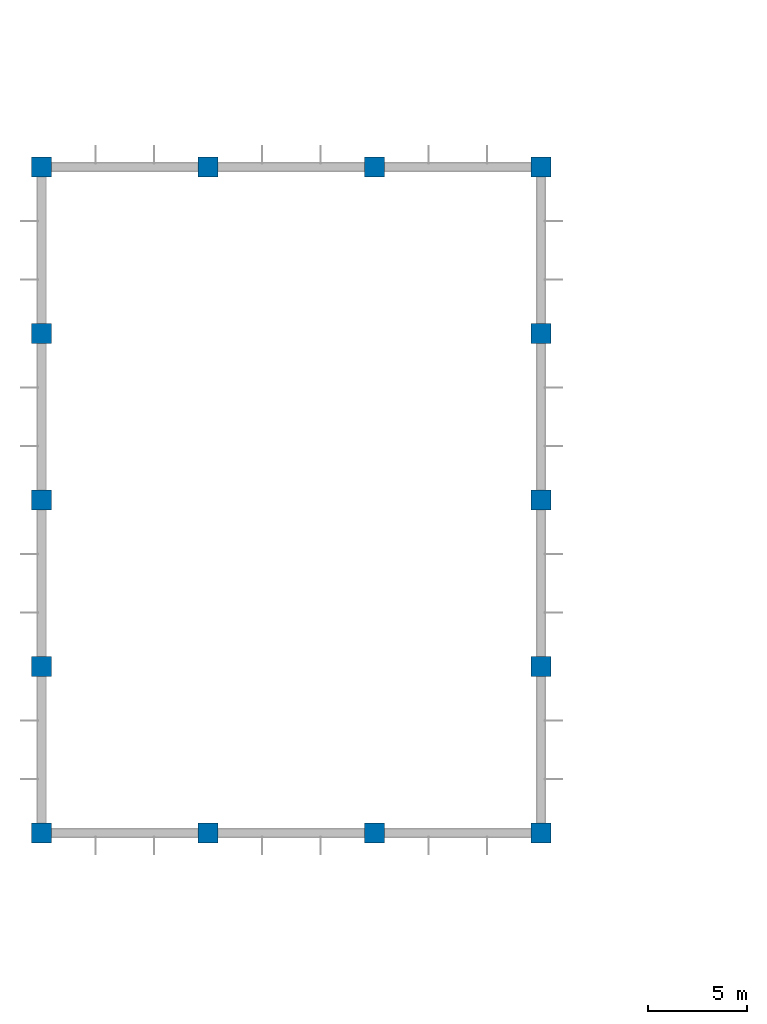
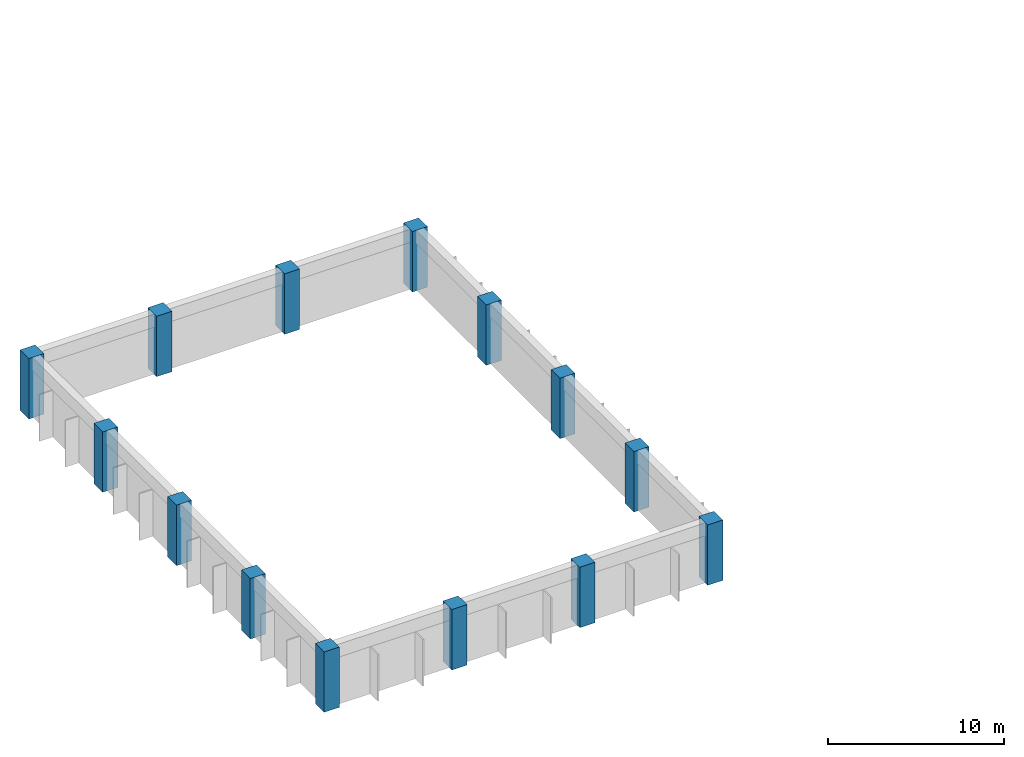
# One storey, part 1 of 19: 14 columns.
"""IFC4 building model written with IfcOpenShell, lengths in metres."""

from ifc_helpers import new_model, si_unit, direction, frame, origin, origin_2d, place, context, subcontext, project, spatial, rectangle, extrude, material, material_profile, profile_set, type_object, element, save


model = new_model("IFC4")

# Units and contexts
model_context = context("Model", 3, precision=1e-05, world=origin(), true_north=direction((0.0, 1.0)))
body_context = subcontext(model_context, "Body", "Model", "MODEL_VIEW")
ifc_project = project(units=[si_unit("LENGTHUNIT", "METRE"), si_unit("AREAUNIT", "SQUARE_METRE"), si_unit("VOLUMEUNIT", "CUBIC_METRE"), si_unit("PLANEANGLEUNIT", "RADIAN"), si_unit("MASSUNIT", "GRAM", prefix="KILO")], contexts=[model_context])

# Site, building, storey
site_placement = place(None, origin())
site = spatial("IfcSite", under=ifc_project, at=site_placement, CompositionType="ELEMENT")
building_placement = place(site_placement, origin())
building = spatial("IfcBuilding", under=site, at=building_placement, Name="Xuanlan Plaza Opera House", CompositionType="ELEMENT")
storey_placement = place(building_placement, frame((0.0, 0.0, 36.300048828125)))
storey = spatial("IfcBuildingStorey", under=building, at=storey_placement, Name="L08", CompositionType="ELEMENT", Elevation=36.300048828125)

# Columns
ifc_material = material(Name="Concrete C50", Category="concrete")
ifc_material_profile = material_profile(ifc_material, rectangle(XDim=1.0, YDim=1.0, at=origin_2d()), Name="RC-COL 1000x1000")
ifc_profile_set = profile_set([ifc_material_profile], Name="Concrete C50")
column_type = type_object("IfcColumnType", Name="STR-COL-C-04", PredefinedType="COLUMN", material=ifc_profile_set)
for number, where, z_axis, x_axis, name in (
    (1, (42.0, 42.0, 0.0), (0.0, 0.0, 1.0), (1.0, 0.0, 0.0), "Fly Tower Column L08 6-F"),
    (2, (42.0, 50.39990234375, 0.0), (0.0, 0.0, 1.0), (1.0, 0.0, 0.0), "Fly Tower Column L08 6-G"),
    (3, (42.0, 58.800048828125, 0.0), (0.0, 0.0, 1.0), (1.0, 0.0, 0.0), "Fly Tower Column L08 6-H"),
    (4, (42.0, 67.199951171875, 0.0), (0.0, 0.0, 1.0), (1.0, 0.0, 0.0), "Fly Tower Column L08 6-I"),
    (5, (42.0, 75.60009765625, 0.0), (0.0, 0.0, 1.0), (1.0, 0.0, 0.0), "Fly Tower Column L08 6-J"),
    (6, (50.39990234375, 42.0, 0.0), (0.0, 0.0, 1.0), (1.0, 0.0, 0.0), "Fly Tower Column L08 7-F"),
    (7, (50.39990234375, 75.60009765625, 0.0), (0.0, 0.0, 1.0), (1.0, 0.0, 0.0), "Fly Tower Column L08 7-J"),
    (8, (58.800048828125, 42.0, 0.0), (0.0, 0.0, 1.0), (1.0, 0.0, 0.0), "Fly Tower Column L08 8-F"),
    (9, (58.800048828125, 75.60009765625, 0.0), (0.0, 0.0, 1.0), (1.0, 0.0, 0.0), "Fly Tower Column L08 8-J"),
    (10, (67.199951171875, 42.0, 0.0), (0.0, 0.0, 1.0), (1.0, 0.0, 0.0), "Fly Tower Column L08 9-F"),
    (11, (67.199951171875, 50.39990234375, 0.0), (0.0, 0.0, 1.0), (1.0, 0.0, 0.0), "Fly Tower Column L08 9-G"),
    (12, (67.199951171875, 58.800048828125, 0.0), (0.0, 0.0, 1.0), (1.0, 0.0, 0.0), "Fly Tower Column L08 9-H"),
    (13, (67.199951171875, 67.199951171875, 0.0), (0.0, 0.0, 1.0), (1.0, 0.0, 0.0), "Fly Tower Column L08 9-I"),
    (14, (67.199951171875, 75.60009765625, 0.0), (0.0, 0.0, 1.0), (1.0, 0.0, 0.0), "Fly Tower Column L08 9-J"),
):
    element("IfcColumn", number, at=place(storey_placement, frame(where, z_axis=z_axis, x_axis=x_axis)), inside=storey, type_object=column_type, Name=name, PredefinedType="COLUMN", context=body_context, shape_type="SweptSolid", body=[
        extrude(rectangle(XDim=1.0, YDim=1.0, at=origin_2d()), origin(), (0.0, 0.0, 1.0), 4.199951171875),
    ])

save(model, "model.ifc")
